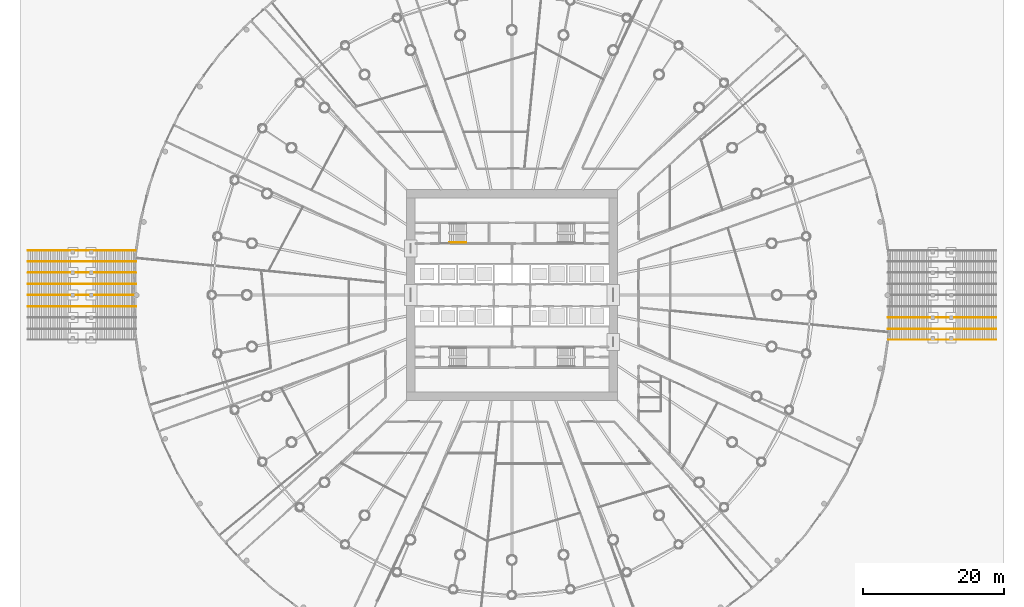
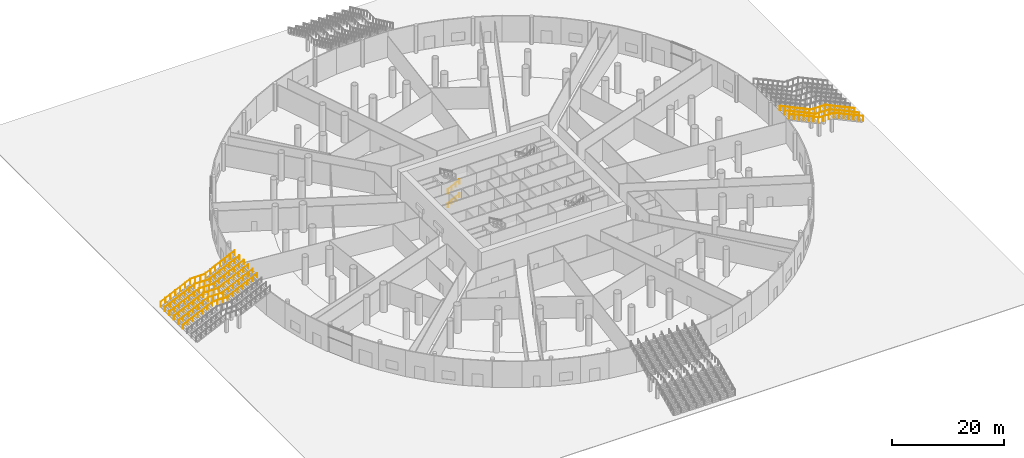
# One storey, part 29 of 33: 11 railings.
"""IFC4 building model written with IfcOpenShell, lengths in metres."""

from ifc_helpers import new_model, si_unit, direction, frame, origin, origin_2d, place, context, subcontext, project, spatial, circle, extrude, material, type_object, element, save


model = new_model("IFC4")

# Units and contexts
model_context = context("Model", 3, precision=1e-05, world=origin(), true_north=direction((0.0, 1.0)))
body_context = subcontext(model_context, "Body", "Model", "MODEL_VIEW")
ifc_project = project(units=[si_unit("LENGTHUNIT", "METRE"), si_unit("AREAUNIT", "SQUARE_METRE"), si_unit("VOLUMEUNIT", "CUBIC_METRE"), si_unit("PLANEANGLEUNIT", "RADIAN"), si_unit("MASSUNIT", "GRAM", prefix="KILO")], contexts=[model_context])

# Site, building, storey
site_placement = place(None, origin())
site = spatial("IfcSite", under=ifc_project, at=site_placement, CompositionType="ELEMENT")
building_placement = place(site_placement, origin())
building = spatial("IfcBuilding", under=site, at=building_placement, Name="Corvane Civic Tower", CompositionType="ELEMENT")
storey_placement = place(building_placement, origin())
storey = spatial("IfcBuildingStorey", under=building, at=storey_placement, Name="G", CompositionType="ELEMENT", Elevation=0.0)

# Railings
ifc_material_1 = material(Name="Steel ASTM A572 Gr 50", Category="steel")
railing_type_1 = type_object("IfcRailingType", Name="PODIUM-RL-GUARD-1100", PredefinedType="GUARDRAIL", material=ifc_material_1)
railing_1_placement = place(storey_placement, frame((68.860107421875, -6.35009765625, 0.14990234375)))
element("IfcRailing", 1, at=railing_1_placement, inside=storey, type_object=railing_type_1, Name="East stair left guard", PredefinedType="GUARDRAIL", context=body_context, shape_type="SweptSolid", body=[
    extrude(circle(Radius=0.02392578125, at=origin_2d()), frame((0.0, 0.0, 1.076171875), z_axis=(-0.905455442782, 0.0, 0.424441328262), x_axis=(0.0, -1.0, 0.0)), (0.0, 0.0, 1.0), 6.71484375),
    extrude(circle(Radius=0.02392578125, at=origin_2d()), frame((-6.080078125, 0.0, 3.92626953125), z_axis=(-1.0, 0.0, 0.0), x_axis=(0.0, -1.0, 0.0)), (0.0, 0.0, 1.0), 3.199951171875),
    extrude(circle(Radius=0.02392578125, at=origin_2d()), frame((-9.280029296875, 0.0, 3.92626953125), z_axis=(0.0, 0.0, 1.0), x_axis=(1.0, 0.0, 0.0)), (0.0, 0.0, 1.0), 0.14990234375),
    extrude(circle(Radius=0.02392578125, at=origin_2d()), frame((-9.280029296875, 0.0, 4.076171875), z_axis=(-0.905454092966, 0.0, 0.424444207796), x_axis=(0.0, -1.0, 0.0)), (0.0, 0.0, 1.0), 6.65966796875),
    extrude(circle(Radius=0.02099609375, at=origin_2d()), origin(), (0.0, 0.0, 1.0), 1.052001953125),
    extrude(circle(Radius=0.02099609375, at=origin_2d()), frame((-1.013427734375, 0.0, 0.47509765625)), (0.0, 0.0, 1.0), 1.052001953125),
    extrude(circle(Radius=0.02099609375, at=origin_2d()), frame((-2.026611328125, 0.0, 0.949951171875)), (0.0, 0.0, 1.0), 1.052001953125),
    extrude(circle(Radius=0.02099609375, at=origin_2d()), frame((-3.0400390625, 0.0, 1.425048828125)), (0.0, 0.0, 1.0), 1.052001953125),
    extrude(circle(Radius=0.02099609375, at=origin_2d()), frame((-4.053466796875, 0.0, 1.900146484375)), (0.0, 0.0, 1.0), 1.052001953125),
    extrude(circle(Radius=0.02099609375, at=origin_2d()), frame((-5.066650390625, 0.0, 2.375)), (0.0, 0.0, 1.0), 1.052001953125),
    extrude(circle(Radius=0.02099609375, at=origin_2d()), frame((-6.080078125, 0.0, 2.85009765625)), (0.0, 0.0, 1.0), 1.052001953125),
    extrude(circle(Radius=0.02099609375, at=origin_2d()), frame((-7.146728515625, 0.0, 2.85009765625)), (0.0, 0.0, 1.0), 1.052001953125),
    extrude(circle(Radius=0.02099609375, at=origin_2d()), frame((-8.21337890625, 0.0, 2.85009765625)), (0.0, 0.0, 1.0), 1.052001953125),
    extrude(circle(Radius=0.02099609375, at=origin_2d()), frame((-9.280029296875, 0.0, 2.85009765625)), (0.0, 0.0, 1.0), 1.052001953125),
    extrude(circle(Radius=0.02099609375, at=origin_2d()), frame((-9.280029296875, 0.0, 3.0)), (0.0, 0.0, 1.0), 1.052001953125),
    extrude(circle(Radius=0.02099609375, at=origin_2d()), frame((-10.28515625, 0.0, 3.47119140625)), (0.0, 0.0, 1.0), 1.052001953125),
    extrude(circle(Radius=0.02099609375, at=origin_2d()), frame((-11.2900390625, 0.0, 3.942138671875)), (0.0, 0.0, 1.0), 1.052001953125),
    extrude(circle(Radius=0.02099609375, at=origin_2d()), frame((-12.294921875, 0.0, 4.413330078125)), (0.0, 0.0, 1.0), 1.052001953125),
    extrude(circle(Radius=0.02099609375, at=origin_2d()), frame((-13.300048828125, 0.0, 4.884521484375)), (0.0, 0.0, 1.0), 1.052001953125),
    extrude(circle(Radius=0.02099609375, at=origin_2d()), frame((-14.30517578125, 0.0, 5.35546875)), (0.0, 0.0, 1.0), 1.052001953125),
    extrude(circle(Radius=0.02099609375, at=origin_2d()), frame((-15.31005859375, 0.0, 5.82666015625)), (0.0, 0.0, 1.0), 1.052001953125),
])
railing_2_placement = place(storey_placement, frame((-68.860107421875, 6.35009765625, 0.14990234375)))
element("IfcRailing", 2, at=railing_2_placement, inside=storey, type_object=railing_type_1, Name="West stair left guard", PredefinedType="GUARDRAIL", context=body_context, shape_type="SweptSolid", body=[
    extrude(circle(Radius=0.02392578125, at=origin_2d()), frame((0.0, 0.0, 1.076171875), z_axis=(0.905455442782, 0.0, 0.424441328262), x_axis=(0.0, 1.0, 0.0)), (0.0, 0.0, 1.0), 6.71484375),
    extrude(circle(Radius=0.02392578125, at=origin_2d()), frame((6.080078125, 0.0, 3.92626953125), z_axis=(1.0, 0.0, 0.0), x_axis=(0.0, 1.0, 0.0)), (0.0, 0.0, 1.0), 3.199951171875),
    extrude(circle(Radius=0.02392578125, at=origin_2d()), frame((9.280029296875, 0.0, 3.92626953125), z_axis=(0.0, 0.0, 1.0), x_axis=(1.0, 0.0, 0.0)), (0.0, 0.0, 1.0), 0.14990234375),
    extrude(circle(Radius=0.02392578125, at=origin_2d()), frame((9.280029296875, 0.0, 4.076171875), z_axis=(0.905454092966, 0.0, 0.424444207796), x_axis=(0.0, 1.0, 0.0)), (0.0, 0.0, 1.0), 6.65966796875),
    extrude(circle(Radius=0.02099609375, at=origin_2d()), origin(), (0.0, 0.0, 1.0), 1.052001953125),
    extrude(circle(Radius=0.02099609375, at=origin_2d()), frame((1.013427734375, 0.0, 0.47509765625)), (0.0, 0.0, 1.0), 1.052001953125),
    extrude(circle(Radius=0.02099609375, at=origin_2d()), frame((2.026611328125, 0.0, 0.949951171875)), (0.0, 0.0, 1.0), 1.052001953125),
    extrude(circle(Radius=0.02099609375, at=origin_2d()), frame((3.0400390625, 0.0, 1.425048828125)), (0.0, 0.0, 1.0), 1.052001953125),
    extrude(circle(Radius=0.02099609375, at=origin_2d()), frame((4.053466796875, 0.0, 1.900146484375)), (0.0, 0.0, 1.0), 1.052001953125),
    extrude(circle(Radius=0.02099609375, at=origin_2d()), frame((5.066650390625, 0.0, 2.375)), (0.0, 0.0, 1.0), 1.052001953125),
    extrude(circle(Radius=0.02099609375, at=origin_2d()), frame((6.080078125, 0.0, 2.85009765625)), (0.0, 0.0, 1.0), 1.052001953125),
    extrude(circle(Radius=0.02099609375, at=origin_2d()), frame((7.146728515625, 0.0, 2.85009765625)), (0.0, 0.0, 1.0), 1.052001953125),
    extrude(circle(Radius=0.02099609375, at=origin_2d()), frame((8.21337890625, 0.0, 2.85009765625)), (0.0, 0.0, 1.0), 1.052001953125),
    extrude(circle(Radius=0.02099609375, at=origin_2d()), frame((9.280029296875, 0.0, 2.85009765625)), (0.0, 0.0, 1.0), 1.052001953125),
    extrude(circle(Radius=0.02099609375, at=origin_2d()), frame((9.280029296875, 0.0, 3.0)), (0.0, 0.0, 1.0), 1.052001953125),
    extrude(circle(Radius=0.02099609375, at=origin_2d()), frame((10.28515625, 0.0, 3.47119140625)), (0.0, 0.0, 1.0), 1.052001953125),
    extrude(circle(Radius=0.02099609375, at=origin_2d()), frame((11.2900390625, 0.0, 3.942138671875)), (0.0, 0.0, 1.0), 1.052001953125),
    extrude(circle(Radius=0.02099609375, at=origin_2d()), frame((12.294921875, 0.0, 4.413330078125)), (0.0, 0.0, 1.0), 1.052001953125),
    extrude(circle(Radius=0.02099609375, at=origin_2d()), frame((13.300048828125, 0.0, 4.884521484375)), (0.0, 0.0, 1.0), 1.052001953125),
    extrude(circle(Radius=0.02099609375, at=origin_2d()), frame((14.30517578125, 0.0, 5.35546875)), (0.0, 0.0, 1.0), 1.052001953125),
    extrude(circle(Radius=0.02099609375, at=origin_2d()), frame((15.31005859375, 0.0, 5.82666015625)), (0.0, 0.0, 1.0), 1.052001953125),
])
ifc_material_2 = material(Name="Steel ASTM A572 Gr 50", Category="steel")
railing_type_2 = type_object("IfcRailingType", Name="PODIUM-RL-HANDRAIL-900", PredefinedType="HANDRAIL", material=ifc_material_2)
railing_3_placement = place(storey_placement, frame((68.860107421875, -4.800048828125, 0.14990234375)))
element("IfcRailing", 3, at=railing_3_placement, inside=storey, type_object=railing_type_2, Name="East stair handrail 1", PredefinedType="HANDRAIL", context=body_context, shape_type="SweptSolid", body=[
    extrude(circle(Radius=0.02392578125, at=origin_2d()), frame((0.0, 0.0, 0.8759765625), z_axis=(-0.905455442782, 0.0, 0.424441328262), x_axis=(0.0, -1.0, 0.0)), (0.0, 0.0, 1.0), 6.71484375),
    extrude(circle(Radius=0.02392578125, at=origin_2d()), frame((-6.080078125, 0.0, 3.72607421875), z_axis=(-1.0, 0.0, 0.0), x_axis=(0.0, -1.0, 0.0)), (0.0, 0.0, 1.0), 3.199951171875),
    extrude(circle(Radius=0.02392578125, at=origin_2d()), frame((-9.280029296875, 0.0, 3.72607421875), z_axis=(0.0, 0.0, 1.0), x_axis=(1.0, 0.0, 0.0)), (0.0, 0.0, 1.0), 0.14990234375),
    extrude(circle(Radius=0.02392578125, at=origin_2d()), frame((-9.280029296875, 0.0, 3.8759765625), z_axis=(-0.905455442782, 0.0, 0.424441328262), x_axis=(0.0, -1.0, 0.0)), (0.0, 0.0, 1.0), 6.71484375),
    extrude(circle(Radius=0.02099609375, at=origin_2d()), origin(), (0.0, 0.0, 1.0), 0.851806640625),
    extrude(circle(Radius=0.02099609375, at=origin_2d()), frame((-1.013427734375, 0.0, 0.47509765625)), (0.0, 0.0, 1.0), 0.851806640625),
    extrude(circle(Radius=0.02099609375, at=origin_2d()), frame((-2.026611328125, 0.0, 0.949951171875)), (0.0, 0.0, 1.0), 0.851806640625),
    extrude(circle(Radius=0.02099609375, at=origin_2d()), frame((-3.0400390625, 0.0, 1.425048828125)), (0.0, 0.0, 1.0), 0.851806640625),
    extrude(circle(Radius=0.02099609375, at=origin_2d()), frame((-4.053466796875, 0.0, 1.900146484375)), (0.0, 0.0, 1.0), 0.851806640625),
    extrude(circle(Radius=0.02099609375, at=origin_2d()), frame((-5.066650390625, 0.0, 2.375)), (0.0, 0.0, 1.0), 0.851806640625),
    extrude(circle(Radius=0.02099609375, at=origin_2d()), frame((-6.080078125, 0.0, 2.85009765625)), (0.0, 0.0, 1.0), 0.851806640625),
    extrude(circle(Radius=0.02099609375, at=origin_2d()), frame((-7.146728515625, 0.0, 2.85009765625)), (0.0, 0.0, 1.0), 0.851806640625),
    extrude(circle(Radius=0.02099609375, at=origin_2d()), frame((-8.21337890625, 0.0, 2.85009765625)), (0.0, 0.0, 1.0), 0.851806640625),
    extrude(circle(Radius=0.02099609375, at=origin_2d()), frame((-9.280029296875, 0.0, 2.85009765625)), (0.0, 0.0, 1.0), 0.851806640625),
    extrude(circle(Radius=0.02099609375, at=origin_2d()), frame((-9.280029296875, 0.0, 3.0)), (0.0, 0.0, 1.0), 0.851806640625),
    extrude(circle(Radius=0.02099609375, at=origin_2d()), frame((-10.29345703125, 0.0, 3.47509765625)), (0.0, 0.0, 1.0), 0.851806640625),
    extrude(circle(Radius=0.02099609375, at=origin_2d()), frame((-11.306640625, 0.0, 3.949951171875)), (0.0, 0.0, 1.0), 0.851806640625),
    extrude(circle(Radius=0.02099609375, at=origin_2d()), frame((-12.320068359375, 0.0, 4.425048828125)), (0.0, 0.0, 1.0), 0.851806640625),
    extrude(circle(Radius=0.02099609375, at=origin_2d()), frame((-13.33349609375, 0.0, 4.900146484375)), (0.0, 0.0, 1.0), 0.851806640625),
    extrude(circle(Radius=0.02099609375, at=origin_2d()), frame((-14.3466796875, 0.0, 5.375)), (0.0, 0.0, 1.0), 0.851806640625),
    extrude(circle(Radius=0.02099609375, at=origin_2d()), frame((-15.360107421875, 0.0, 5.85009765625)), (0.0, 0.0, 1.0), 0.851806640625),
])
railing_4_placement = place(storey_placement, frame((68.860107421875, -3.199951171875, 0.14990234375)))
element("IfcRailing", 4, at=railing_4_placement, inside=storey, type_object=railing_type_2, Name="East stair handrail 2", PredefinedType="HANDRAIL", context=body_context, shape_type="SweptSolid", body=[
    extrude(circle(Radius=0.02392578125, at=origin_2d()), frame((0.0, 0.0, 0.8759765625), z_axis=(-0.905455442782, 0.0, 0.424441328262), x_axis=(0.0, -1.0, 0.0)), (0.0, 0.0, 1.0), 6.71484375),
    extrude(circle(Radius=0.02392578125, at=origin_2d()), frame((-6.080078125, 0.0, 3.72607421875), z_axis=(-1.0, 0.0, 0.0), x_axis=(0.0, -1.0, 0.0)), (0.0, 0.0, 1.0), 3.199951171875),
    extrude(circle(Radius=0.02392578125, at=origin_2d()), frame((-9.280029296875, 0.0, 3.72607421875), z_axis=(0.0, 0.0, 1.0), x_axis=(1.0, 0.0, 0.0)), (0.0, 0.0, 1.0), 0.14990234375),
    extrude(circle(Radius=0.02392578125, at=origin_2d()), frame((-9.280029296875, 0.0, 3.8759765625), z_axis=(-0.905455442782, 0.0, 0.424441328262), x_axis=(0.0, -1.0, 0.0)), (0.0, 0.0, 1.0), 6.71484375),
    extrude(circle(Radius=0.02099609375, at=origin_2d()), origin(), (0.0, 0.0, 1.0), 0.851806640625),
    extrude(circle(Radius=0.02099609375, at=origin_2d()), frame((-1.013427734375, 0.0, 0.47509765625)), (0.0, 0.0, 1.0), 0.851806640625),
    extrude(circle(Radius=0.02099609375, at=origin_2d()), frame((-2.026611328125, 0.0, 0.949951171875)), (0.0, 0.0, 1.0), 0.851806640625),
    extrude(circle(Radius=0.02099609375, at=origin_2d()), frame((-3.0400390625, 0.0, 1.425048828125)), (0.0, 0.0, 1.0), 0.851806640625),
    extrude(circle(Radius=0.02099609375, at=origin_2d()), frame((-4.053466796875, 0.0, 1.900146484375)), (0.0, 0.0, 1.0), 0.851806640625),
    extrude(circle(Radius=0.02099609375, at=origin_2d()), frame((-5.066650390625, 0.0, 2.375)), (0.0, 0.0, 1.0), 0.851806640625),
    extrude(circle(Radius=0.02099609375, at=origin_2d()), frame((-6.080078125, 0.0, 2.85009765625)), (0.0, 0.0, 1.0), 0.851806640625),
    extrude(circle(Radius=0.02099609375, at=origin_2d()), frame((-7.146728515625, 0.0, 2.85009765625)), (0.0, 0.0, 1.0), 0.851806640625),
    extrude(circle(Radius=0.02099609375, at=origin_2d()), frame((-8.21337890625, 0.0, 2.85009765625)), (0.0, 0.0, 1.0), 0.851806640625),
    extrude(circle(Radius=0.02099609375, at=origin_2d()), frame((-9.280029296875, 0.0, 2.85009765625)), (0.0, 0.0, 1.0), 0.851806640625),
    extrude(circle(Radius=0.02099609375, at=origin_2d()), frame((-9.280029296875, 0.0, 3.0)), (0.0, 0.0, 1.0), 0.851806640625),
    extrude(circle(Radius=0.02099609375, at=origin_2d()), frame((-10.29345703125, 0.0, 3.47509765625)), (0.0, 0.0, 1.0), 0.851806640625),
    extrude(circle(Radius=0.02099609375, at=origin_2d()), frame((-11.306640625, 0.0, 3.949951171875)), (0.0, 0.0, 1.0), 0.851806640625),
    extrude(circle(Radius=0.02099609375, at=origin_2d()), frame((-12.320068359375, 0.0, 4.425048828125)), (0.0, 0.0, 1.0), 0.851806640625),
    extrude(circle(Radius=0.02099609375, at=origin_2d()), frame((-13.33349609375, 0.0, 4.900146484375)), (0.0, 0.0, 1.0), 0.851806640625),
    extrude(circle(Radius=0.02099609375, at=origin_2d()), frame((-14.3466796875, 0.0, 5.375)), (0.0, 0.0, 1.0), 0.851806640625),
    extrude(circle(Radius=0.02099609375, at=origin_2d()), frame((-15.360107421875, 0.0, 5.85009765625)), (0.0, 0.0, 1.0), 0.851806640625),
])
railing_5_placement = place(storey_placement, frame((-68.860107421875, 4.800048828125, 0.14990234375)))
element("IfcRailing", 5, at=railing_5_placement, inside=storey, type_object=railing_type_2, Name="West stair handrail 1", PredefinedType="HANDRAIL", context=body_context, shape_type="SweptSolid", body=[
    extrude(circle(Radius=0.02392578125, at=origin_2d()), frame((0.0, 0.0, 0.8759765625), z_axis=(0.905455442782, 0.0, 0.424441328262), x_axis=(0.0, 1.0, 0.0)), (0.0, 0.0, 1.0), 6.71484375),
    extrude(circle(Radius=0.02392578125, at=origin_2d()), frame((6.080078125, 0.0, 3.72607421875), z_axis=(1.0, 0.0, 0.0), x_axis=(0.0, 1.0, 0.0)), (0.0, 0.0, 1.0), 3.199951171875),
    extrude(circle(Radius=0.02392578125, at=origin_2d()), frame((9.280029296875, 0.0, 3.72607421875), z_axis=(0.0, 0.0, 1.0), x_axis=(1.0, 0.0, 0.0)), (0.0, 0.0, 1.0), 0.14990234375),
    extrude(circle(Radius=0.02392578125, at=origin_2d()), frame((9.280029296875, 0.0, 3.8759765625), z_axis=(0.905455442782, 0.0, 0.424441328262), x_axis=(0.0, 1.0, 0.0)), (0.0, 0.0, 1.0), 6.71484375),
    extrude(circle(Radius=0.02099609375, at=origin_2d()), origin(), (0.0, 0.0, 1.0), 0.851806640625),
    extrude(circle(Radius=0.02099609375, at=origin_2d()), frame((1.013427734375, 0.0, 0.47509765625)), (0.0, 0.0, 1.0), 0.851806640625),
    extrude(circle(Radius=0.02099609375, at=origin_2d()), frame((2.026611328125, 0.0, 0.949951171875)), (0.0, 0.0, 1.0), 0.851806640625),
    extrude(circle(Radius=0.02099609375, at=origin_2d()), frame((3.0400390625, 0.0, 1.425048828125)), (0.0, 0.0, 1.0), 0.851806640625),
    extrude(circle(Radius=0.02099609375, at=origin_2d()), frame((4.053466796875, 0.0, 1.900146484375)), (0.0, 0.0, 1.0), 0.851806640625),
    extrude(circle(Radius=0.02099609375, at=origin_2d()), frame((5.066650390625, 0.0, 2.375)), (0.0, 0.0, 1.0), 0.851806640625),
    extrude(circle(Radius=0.02099609375, at=origin_2d()), frame((6.080078125, 0.0, 2.85009765625)), (0.0, 0.0, 1.0), 0.851806640625),
    extrude(circle(Radius=0.02099609375, at=origin_2d()), frame((7.146728515625, 0.0, 2.85009765625)), (0.0, 0.0, 1.0), 0.851806640625),
    extrude(circle(Radius=0.02099609375, at=origin_2d()), frame((8.21337890625, 0.0, 2.85009765625)), (0.0, 0.0, 1.0), 0.851806640625),
    extrude(circle(Radius=0.02099609375, at=origin_2d()), frame((9.280029296875, 0.0, 2.85009765625)), (0.0, 0.0, 1.0), 0.851806640625),
    extrude(circle(Radius=0.02099609375, at=origin_2d()), frame((9.280029296875, 0.0, 3.0)), (0.0, 0.0, 1.0), 0.851806640625),
    extrude(circle(Radius=0.02099609375, at=origin_2d()), frame((10.29345703125, 0.0, 3.47509765625)), (0.0, 0.0, 1.0), 0.851806640625),
    extrude(circle(Radius=0.02099609375, at=origin_2d()), frame((11.306640625, 0.0, 3.949951171875)), (0.0, 0.0, 1.0), 0.851806640625),
    extrude(circle(Radius=0.02099609375, at=origin_2d()), frame((12.320068359375, 0.0, 4.425048828125)), (0.0, 0.0, 1.0), 0.851806640625),
    extrude(circle(Radius=0.02099609375, at=origin_2d()), frame((13.33349609375, 0.0, 4.900146484375)), (0.0, 0.0, 1.0), 0.851806640625),
    extrude(circle(Radius=0.02099609375, at=origin_2d()), frame((14.3466796875, 0.0, 5.375)), (0.0, 0.0, 1.0), 0.851806640625),
    extrude(circle(Radius=0.02099609375, at=origin_2d()), frame((15.360107421875, 0.0, 5.85009765625)), (0.0, 0.0, 1.0), 0.851806640625),
])
railing_6_placement = place(storey_placement, frame((-68.860107421875, 3.199951171875, 0.14990234375)))
element("IfcRailing", 6, at=railing_6_placement, inside=storey, type_object=railing_type_2, Name="West stair handrail 2", PredefinedType="HANDRAIL", context=body_context, shape_type="SweptSolid", body=[
    extrude(circle(Radius=0.02392578125, at=origin_2d()), frame((0.0, 0.0, 0.8759765625), z_axis=(0.905455442782, 0.0, 0.424441328262), x_axis=(0.0, 1.0, 0.0)), (0.0, 0.0, 1.0), 6.71484375),
    extrude(circle(Radius=0.02392578125, at=origin_2d()), frame((6.080078125, 0.0, 3.72607421875), z_axis=(1.0, 0.0, 0.0), x_axis=(0.0, 1.0, 0.0)), (0.0, 0.0, 1.0), 3.199951171875),
    extrude(circle(Radius=0.02392578125, at=origin_2d()), frame((9.280029296875, 0.0, 3.72607421875), z_axis=(0.0, 0.0, 1.0), x_axis=(1.0, 0.0, 0.0)), (0.0, 0.0, 1.0), 0.14990234375),
    extrude(circle(Radius=0.02392578125, at=origin_2d()), frame((9.280029296875, 0.0, 3.8759765625), z_axis=(0.905455442782, 0.0, 0.424441328262), x_axis=(0.0, 1.0, 0.0)), (0.0, 0.0, 1.0), 6.71484375),
    extrude(circle(Radius=0.02099609375, at=origin_2d()), origin(), (0.0, 0.0, 1.0), 0.851806640625),
    extrude(circle(Radius=0.02099609375, at=origin_2d()), frame((1.013427734375, 0.0, 0.47509765625)), (0.0, 0.0, 1.0), 0.851806640625),
    extrude(circle(Radius=0.02099609375, at=origin_2d()), frame((2.026611328125, 0.0, 0.949951171875)), (0.0, 0.0, 1.0), 0.851806640625),
    extrude(circle(Radius=0.02099609375, at=origin_2d()), frame((3.0400390625, 0.0, 1.425048828125)), (0.0, 0.0, 1.0), 0.851806640625),
    extrude(circle(Radius=0.02099609375, at=origin_2d()), frame((4.053466796875, 0.0, 1.900146484375)), (0.0, 0.0, 1.0), 0.851806640625),
    extrude(circle(Radius=0.02099609375, at=origin_2d()), frame((5.066650390625, 0.0, 2.375)), (0.0, 0.0, 1.0), 0.851806640625),
    extrude(circle(Radius=0.02099609375, at=origin_2d()), frame((6.080078125, 0.0, 2.85009765625)), (0.0, 0.0, 1.0), 0.851806640625),
    extrude(circle(Radius=0.02099609375, at=origin_2d()), frame((7.146728515625, 0.0, 2.85009765625)), (0.0, 0.0, 1.0), 0.851806640625),
    extrude(circle(Radius=0.02099609375, at=origin_2d()), frame((8.21337890625, 0.0, 2.85009765625)), (0.0, 0.0, 1.0), 0.851806640625),
    extrude(circle(Radius=0.02099609375, at=origin_2d()), frame((9.280029296875, 0.0, 2.85009765625)), (0.0, 0.0, 1.0), 0.851806640625),
    extrude(circle(Radius=0.02099609375, at=origin_2d()), frame((9.280029296875, 0.0, 3.0)), (0.0, 0.0, 1.0), 0.851806640625),
    extrude(circle(Radius=0.02099609375, at=origin_2d()), frame((10.29345703125, 0.0, 3.47509765625)), (0.0, 0.0, 1.0), 0.851806640625),
    extrude(circle(Radius=0.02099609375, at=origin_2d()), frame((11.306640625, 0.0, 3.949951171875)), (0.0, 0.0, 1.0), 0.851806640625),
    extrude(circle(Radius=0.02099609375, at=origin_2d()), frame((12.320068359375, 0.0, 4.425048828125)), (0.0, 0.0, 1.0), 0.851806640625),
    extrude(circle(Radius=0.02099609375, at=origin_2d()), frame((13.33349609375, 0.0, 4.900146484375)), (0.0, 0.0, 1.0), 0.851806640625),
    extrude(circle(Radius=0.02099609375, at=origin_2d()), frame((14.3466796875, 0.0, 5.375)), (0.0, 0.0, 1.0), 0.851806640625),
    extrude(circle(Radius=0.02099609375, at=origin_2d()), frame((15.360107421875, 0.0, 5.85009765625)), (0.0, 0.0, 1.0), 0.851806640625),
])
railing_7_placement = place(storey_placement, frame((-68.860107421875, 1.60009765625, 0.14990234375)))
element("IfcRailing", 7, at=railing_7_placement, inside=storey, type_object=railing_type_2, Name="West stair handrail 3", PredefinedType="HANDRAIL", context=body_context, shape_type="SweptSolid", body=[
    extrude(circle(Radius=0.02392578125, at=origin_2d()), frame((0.0, 0.0, 0.8759765625), z_axis=(0.905455442782, 0.0, 0.424441328262), x_axis=(0.0, 1.0, 0.0)), (0.0, 0.0, 1.0), 6.71484375),
    extrude(circle(Radius=0.02392578125, at=origin_2d()), frame((6.080078125, 0.0, 3.72607421875), z_axis=(1.0, 0.0, 0.0), x_axis=(0.0, 1.0, 0.0)), (0.0, 0.0, 1.0), 3.199951171875),
    extrude(circle(Radius=0.02392578125, at=origin_2d()), frame((9.280029296875, 0.0, 3.72607421875), z_axis=(0.0, 0.0, 1.0), x_axis=(1.0, 0.0, 0.0)), (0.0, 0.0, 1.0), 0.14990234375),
    extrude(circle(Radius=0.02392578125, at=origin_2d()), frame((9.280029296875, 0.0, 3.8759765625), z_axis=(0.905455442782, 0.0, 0.424441328262), x_axis=(0.0, 1.0, 0.0)), (0.0, 0.0, 1.0), 6.71484375),
    extrude(circle(Radius=0.02099609375, at=origin_2d()), origin(), (0.0, 0.0, 1.0), 0.851806640625),
    extrude(circle(Radius=0.02099609375, at=origin_2d()), frame((1.013427734375, 0.0, 0.47509765625)), (0.0, 0.0, 1.0), 0.851806640625),
    extrude(circle(Radius=0.02099609375, at=origin_2d()), frame((2.026611328125, 0.0, 0.949951171875)), (0.0, 0.0, 1.0), 0.851806640625),
    extrude(circle(Radius=0.02099609375, at=origin_2d()), frame((3.0400390625, 0.0, 1.425048828125)), (0.0, 0.0, 1.0), 0.851806640625),
    extrude(circle(Radius=0.02099609375, at=origin_2d()), frame((4.053466796875, 0.0, 1.900146484375)), (0.0, 0.0, 1.0), 0.851806640625),
    extrude(circle(Radius=0.02099609375, at=origin_2d()), frame((5.066650390625, 0.0, 2.375)), (0.0, 0.0, 1.0), 0.851806640625),
    extrude(circle(Radius=0.02099609375, at=origin_2d()), frame((6.080078125, 0.0, 2.85009765625)), (0.0, 0.0, 1.0), 0.851806640625),
    extrude(circle(Radius=0.02099609375, at=origin_2d()), frame((7.146728515625, 0.0, 2.85009765625)), (0.0, 0.0, 1.0), 0.851806640625),
    extrude(circle(Radius=0.02099609375, at=origin_2d()), frame((8.21337890625, 0.0, 2.85009765625)), (0.0, 0.0, 1.0), 0.851806640625),
    extrude(circle(Radius=0.02099609375, at=origin_2d()), frame((9.280029296875, 0.0, 2.85009765625)), (0.0, 0.0, 1.0), 0.851806640625),
    extrude(circle(Radius=0.02099609375, at=origin_2d()), frame((9.280029296875, 0.0, 3.0)), (0.0, 0.0, 1.0), 0.851806640625),
    extrude(circle(Radius=0.02099609375, at=origin_2d()), frame((10.29345703125, 0.0, 3.47509765625)), (0.0, 0.0, 1.0), 0.851806640625),
    extrude(circle(Radius=0.02099609375, at=origin_2d()), frame((11.306640625, 0.0, 3.949951171875)), (0.0, 0.0, 1.0), 0.851806640625),
    extrude(circle(Radius=0.02099609375, at=origin_2d()), frame((12.320068359375, 0.0, 4.425048828125)), (0.0, 0.0, 1.0), 0.851806640625),
    extrude(circle(Radius=0.02099609375, at=origin_2d()), frame((13.33349609375, 0.0, 4.900146484375)), (0.0, 0.0, 1.0), 0.851806640625),
    extrude(circle(Radius=0.02099609375, at=origin_2d()), frame((14.3466796875, 0.0, 5.375)), (0.0, 0.0, 1.0), 0.851806640625),
    extrude(circle(Radius=0.02099609375, at=origin_2d()), frame((15.360107421875, 0.0, 5.85009765625)), (0.0, 0.0, 1.0), 0.851806640625),
])
railing_8_placement = place(storey_placement, frame((-68.860107421875, 0.0, 0.14990234375)))
element("IfcRailing", 8, at=railing_8_placement, inside=storey, type_object=railing_type_2, Name="West stair handrail 4", PredefinedType="HANDRAIL", context=body_context, shape_type="SweptSolid", body=[
    extrude(circle(Radius=0.02392578125, at=origin_2d()), frame((0.0, 0.0, 0.8759765625), z_axis=(0.905455442782, 0.0, 0.424441328262), x_axis=(0.0, 1.0, 0.0)), (0.0, 0.0, 1.0), 6.71484375),
    extrude(circle(Radius=0.02392578125, at=origin_2d()), frame((6.080078125, 0.0, 3.72607421875), z_axis=(1.0, 0.0, 0.0), x_axis=(0.0, 1.0, 0.0)), (0.0, 0.0, 1.0), 3.199951171875),
    extrude(circle(Radius=0.02392578125, at=origin_2d()), frame((9.280029296875, 0.0, 3.72607421875), z_axis=(0.0, 0.0, 1.0), x_axis=(1.0, 0.0, 0.0)), (0.0, 0.0, 1.0), 0.14990234375),
    extrude(circle(Radius=0.02392578125, at=origin_2d()), frame((9.280029296875, 0.0, 3.8759765625), z_axis=(0.905455442782, 0.0, 0.424441328262), x_axis=(0.0, 1.0, 0.0)), (0.0, 0.0, 1.0), 6.71484375),
    extrude(circle(Radius=0.02099609375, at=origin_2d()), origin(), (0.0, 0.0, 1.0), 0.851806640625),
    extrude(circle(Radius=0.02099609375, at=origin_2d()), frame((1.013427734375, 0.0, 0.47509765625)), (0.0, 0.0, 1.0), 0.851806640625),
    extrude(circle(Radius=0.02099609375, at=origin_2d()), frame((2.026611328125, 0.0, 0.949951171875)), (0.0, 0.0, 1.0), 0.851806640625),
    extrude(circle(Radius=0.02099609375, at=origin_2d()), frame((3.0400390625, 0.0, 1.425048828125)), (0.0, 0.0, 1.0), 0.851806640625),
    extrude(circle(Radius=0.02099609375, at=origin_2d()), frame((4.053466796875, 0.0, 1.900146484375)), (0.0, 0.0, 1.0), 0.851806640625),
    extrude(circle(Radius=0.02099609375, at=origin_2d()), frame((5.066650390625, 0.0, 2.375)), (0.0, 0.0, 1.0), 0.851806640625),
    extrude(circle(Radius=0.02099609375, at=origin_2d()), frame((6.080078125, 0.0, 2.85009765625)), (0.0, 0.0, 1.0), 0.851806640625),
    extrude(circle(Radius=0.02099609375, at=origin_2d()), frame((7.146728515625, 0.0, 2.85009765625)), (0.0, 0.0, 1.0), 0.851806640625),
    extrude(circle(Radius=0.02099609375, at=origin_2d()), frame((8.21337890625, 0.0, 2.85009765625)), (0.0, 0.0, 1.0), 0.851806640625),
    extrude(circle(Radius=0.02099609375, at=origin_2d()), frame((9.280029296875, 0.0, 2.85009765625)), (0.0, 0.0, 1.0), 0.851806640625),
    extrude(circle(Radius=0.02099609375, at=origin_2d()), frame((9.280029296875, 0.0, 3.0)), (0.0, 0.0, 1.0), 0.851806640625),
    extrude(circle(Radius=0.02099609375, at=origin_2d()), frame((10.29345703125, 0.0, 3.47509765625)), (0.0, 0.0, 1.0), 0.851806640625),
    extrude(circle(Radius=0.02099609375, at=origin_2d()), frame((11.306640625, 0.0, 3.949951171875)), (0.0, 0.0, 1.0), 0.851806640625),
    extrude(circle(Radius=0.02099609375, at=origin_2d()), frame((12.320068359375, 0.0, 4.425048828125)), (0.0, 0.0, 1.0), 0.851806640625),
    extrude(circle(Radius=0.02099609375, at=origin_2d()), frame((13.33349609375, 0.0, 4.900146484375)), (0.0, 0.0, 1.0), 0.851806640625),
    extrude(circle(Radius=0.02099609375, at=origin_2d()), frame((14.3466796875, 0.0, 5.375)), (0.0, 0.0, 1.0), 0.851806640625),
    extrude(circle(Radius=0.02099609375, at=origin_2d()), frame((15.360107421875, 0.0, 5.85009765625)), (0.0, 0.0, 1.0), 0.851806640625),
])
railing_9_placement = place(storey_placement, frame((-68.860107421875, -1.60009765625, 0.14990234375)))
element("IfcRailing", 9, at=railing_9_placement, inside=storey, type_object=railing_type_2, Name="West stair handrail 5", PredefinedType="HANDRAIL", context=body_context, shape_type="SweptSolid", body=[
    extrude(circle(Radius=0.02392578125, at=origin_2d()), frame((0.0, 0.0, 0.8759765625), z_axis=(0.905455442782, 0.0, 0.424441328262), x_axis=(0.0, 1.0, 0.0)), (0.0, 0.0, 1.0), 6.71484375),
    extrude(circle(Radius=0.02392578125, at=origin_2d()), frame((6.080078125, 0.0, 3.72607421875), z_axis=(1.0, 0.0, 0.0), x_axis=(0.0, 1.0, 0.0)), (0.0, 0.0, 1.0), 3.199951171875),
    extrude(circle(Radius=0.02392578125, at=origin_2d()), frame((9.280029296875, 0.0, 3.72607421875), z_axis=(0.0, 0.0, 1.0), x_axis=(1.0, 0.0, 0.0)), (0.0, 0.0, 1.0), 0.14990234375),
    extrude(circle(Radius=0.02392578125, at=origin_2d()), frame((9.280029296875, 0.0, 3.8759765625), z_axis=(0.905455442782, 0.0, 0.424441328262), x_axis=(0.0, 1.0, 0.0)), (0.0, 0.0, 1.0), 6.71484375),
    extrude(circle(Radius=0.02099609375, at=origin_2d()), origin(), (0.0, 0.0, 1.0), 0.851806640625),
    extrude(circle(Radius=0.02099609375, at=origin_2d()), frame((1.013427734375, 0.0, 0.47509765625)), (0.0, 0.0, 1.0), 0.851806640625),
    extrude(circle(Radius=0.02099609375, at=origin_2d()), frame((2.026611328125, 0.0, 0.949951171875)), (0.0, 0.0, 1.0), 0.851806640625),
    extrude(circle(Radius=0.02099609375, at=origin_2d()), frame((3.0400390625, 0.0, 1.425048828125)), (0.0, 0.0, 1.0), 0.851806640625),
    extrude(circle(Radius=0.02099609375, at=origin_2d()), frame((4.053466796875, 0.0, 1.900146484375)), (0.0, 0.0, 1.0), 0.851806640625),
    extrude(circle(Radius=0.02099609375, at=origin_2d()), frame((5.066650390625, 0.0, 2.375)), (0.0, 0.0, 1.0), 0.851806640625),
    extrude(circle(Radius=0.02099609375, at=origin_2d()), frame((6.080078125, 0.0, 2.85009765625)), (0.0, 0.0, 1.0), 0.851806640625),
    extrude(circle(Radius=0.02099609375, at=origin_2d()), frame((7.146728515625, 0.0, 2.85009765625)), (0.0, 0.0, 1.0), 0.851806640625),
    extrude(circle(Radius=0.02099609375, at=origin_2d()), frame((8.21337890625, 0.0, 2.85009765625)), (0.0, 0.0, 1.0), 0.851806640625),
    extrude(circle(Radius=0.02099609375, at=origin_2d()), frame((9.280029296875, 0.0, 2.85009765625)), (0.0, 0.0, 1.0), 0.851806640625),
    extrude(circle(Radius=0.02099609375, at=origin_2d()), frame((9.280029296875, 0.0, 3.0)), (0.0, 0.0, 1.0), 0.851806640625),
    extrude(circle(Radius=0.02099609375, at=origin_2d()), frame((10.29345703125, 0.0, 3.47509765625)), (0.0, 0.0, 1.0), 0.851806640625),
    extrude(circle(Radius=0.02099609375, at=origin_2d()), frame((11.306640625, 0.0, 3.949951171875)), (0.0, 0.0, 1.0), 0.851806640625),
    extrude(circle(Radius=0.02099609375, at=origin_2d()), frame((12.320068359375, 0.0, 4.425048828125)), (0.0, 0.0, 1.0), 0.851806640625),
    extrude(circle(Radius=0.02099609375, at=origin_2d()), frame((13.33349609375, 0.0, 4.900146484375)), (0.0, 0.0, 1.0), 0.851806640625),
    extrude(circle(Radius=0.02099609375, at=origin_2d()), frame((14.3466796875, 0.0, 5.375)), (0.0, 0.0, 1.0), 0.851806640625),
    extrude(circle(Radius=0.02099609375, at=origin_2d()), frame((15.360107421875, 0.0, 5.85009765625)), (0.0, 0.0, 1.0), 0.851806640625),
])
ifc_material_3 = material(Name="Steel ASTM A572 Gr 50", Category="steel")
railing_type_3 = type_object("IfcRailingType", Name="ST-HANDRAIL-900", PredefinedType="HANDRAIL", material=ifc_material_3)
for number, where, name in (
    (10, (-8.89990234375, 7.5, 0.166748046875), "G ST4 stair handrail 1"),
    (11, (-8.89990234375, 7.5, 3.166748046875), "G ST4 stair handrail 3"),
):
    element("IfcRailing", number, at=place(storey_placement, frame(where)), inside=storey, type_object=railing_type_3, Name=name, PredefinedType="HANDRAIL", context=body_context, shape_type="SweptSolid", body=[
        extrude(circle(Radius=0.02392578125, at=origin_2d()), frame((0.0, 0.0, 0.8759765625), z_axis=(0.874161470802, 0.0, 0.485635380677), x_axis=(0.0, 1.0, 0.0)), (0.0, 0.0, 1.0), 2.745361328125),
        extrude(circle(Radius=0.02099609375, at=origin_2d()), origin(), (0.0, 0.0, 1.0), 0.851806640625),
        extrude(circle(Radius=0.02099609375, at=origin_2d()), frame((0.800048828125, 0.0, 0.4443359375)), (0.0, 0.0, 1.0), 0.851806640625),
        extrude(circle(Radius=0.02099609375, at=origin_2d()), frame((1.599853515625, 0.0, 0.888916015625)), (0.0, 0.0, 1.0), 0.851806640625),
        extrude(circle(Radius=0.02099609375, at=origin_2d()), frame((2.39990234375, 0.0, 1.333251953125)), (0.0, 0.0, 1.0), 0.851806640625),
    ])

save(model, "model.ifc")
